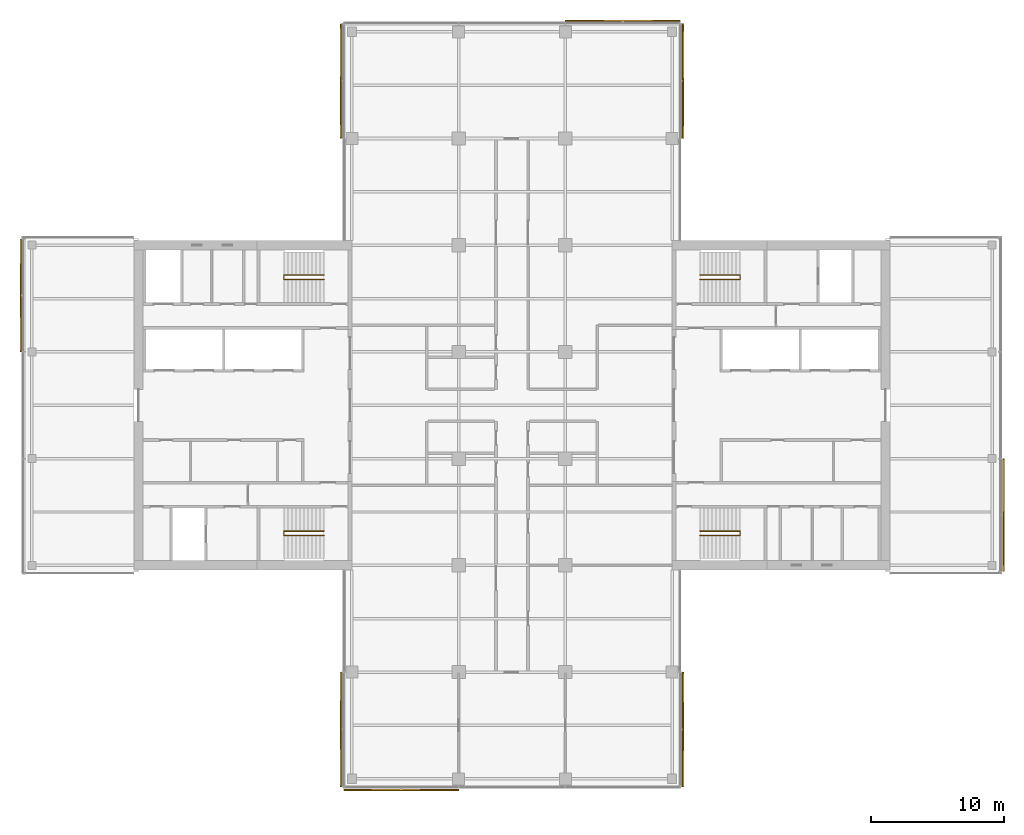
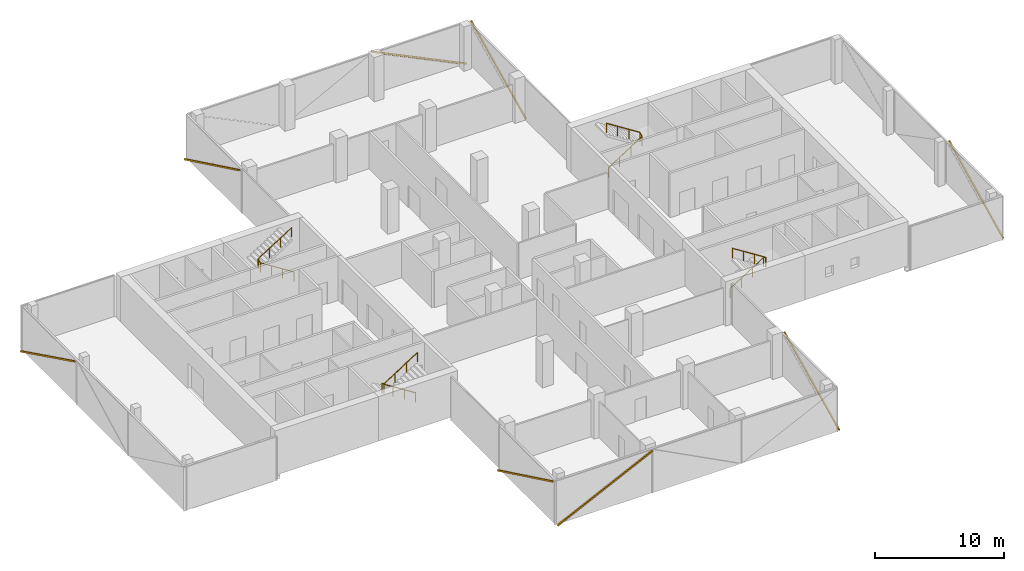
# One storey, part 22 of 22: 8 shading devices, 4 railings, 8 elements without a shape of their own.
"""IFC4 building model written with IfcOpenShell, lengths in metres."""

from ifc_helpers import new_model, si_unit, direction, frame, origin, origin_2d, place, context, subcontext, project, spatial, rectangle, circle, extrude, material, material_profile, profile_set, type_object, element, aggregate, save


model = new_model("IFC4")

# Units and contexts
model_context = context("Model", 3, precision=1e-05, world=origin(), true_north=direction((0.0, 1.0)))
body_context = subcontext(model_context, "Body", "Model", "MODEL_VIEW")
ifc_project = project(units=[si_unit("LENGTHUNIT", "METRE"), si_unit("AREAUNIT", "SQUARE_METRE"), si_unit("VOLUMEUNIT", "CUBIC_METRE"), si_unit("PLANEANGLEUNIT", "RADIAN"), si_unit("MASSUNIT", "GRAM", prefix="KILO")], contexts=[model_context])

# Site, building, storey
site_placement = place(None, origin())
site = spatial("IfcSite", under=ifc_project, at=site_placement, CompositionType="ELEMENT")
building_placement = place(site_placement, origin())
building = spatial("IfcBuilding", under=site, at=building_placement, Name="Crosswind Convention Tower", CompositionType="ELEMENT")
storey_placement = place(building_placement, frame((0.0, 0.0, 125.300048828125)))
storey = spatial("IfcBuildingStorey", under=building, at=storey_placement, Name="L25", CompositionType="ELEMENT", Elevation=125.300048828125)

# Railings
ifc_material_1 = material(Name="Stainless steel", Category="steel")
railing_type = type_object("IfcRailingType", Name="Stair handrail 900", PredefinedType="HANDRAIL", material=ifc_material_1)
railing_1_placement = place(storey_placement, frame((139.10009765625, 109.43994140625, 0.19091796875)))
element("IfcRailing", 1, at=railing_1_placement, inside=storey, type_object=railing_type, Name="Stair ST1 handrail L25", PredefinedType="HANDRAIL", context=body_context, shape_type="SweptSolid", body=[
    extrude(circle(Radius=0.02392578125, at=origin_2d()), frame((0.0, 0.0, 0.8759765625), z_axis=(0.843681277094, 0.0, 0.536844393359), x_axis=(0.0, 1.0, 0.0)), (0.0, 0.0, 1.0), 3.555908203125),
    extrude(circle(Radius=0.02392578125, at=origin_2d()), frame((3.0, 0.0, 2.78466796875), z_axis=(0.0, 0.858819504967, 0.512278301208), x_axis=(-1.0, 0.0, 0.0)), (0.0, 0.0, 1.0), 0.372802734375),
    extrude(circle(Radius=0.02392578125, at=origin_2d()), frame((3.0, 0.320068359375, 2.9755859375), z_axis=(-0.843650179428, 0.0, 0.536893261973), x_axis=(0.0, -1.0, 0.0)), (0.0, 0.0, 1.0), 3.555908203125),
    extrude(circle(Radius=0.02099609375, at=origin_2d()), origin(), (0.0, 0.0, 1.0), 0.851806640625),
    extrude(circle(Radius=0.02099609375, at=origin_2d()), frame((1.0, 0.0, 0.63623046875)), (0.0, 0.0, 1.0), 0.851806640625),
    extrude(circle(Radius=0.02099609375, at=origin_2d()), frame((2.0, 0.0, 1.272705078125)), (0.0, 0.0, 1.0), 0.851806640625),
    extrude(circle(Radius=0.02099609375, at=origin_2d()), frame((3.0, 0.0, 1.908935546875)), (0.0, 0.0, 1.0), 0.851806640625),
    extrude(circle(Radius=0.02099609375, at=origin_2d()), frame((3.0, 0.320068359375, 2.099853515625)), (0.0, 0.0, 1.0), 0.851806640625),
    extrude(circle(Radius=0.02099609375, at=origin_2d()), frame((2.0, 0.320068359375, 2.736328125)), (0.0, 0.0, 1.0), 0.851806640625),
    extrude(circle(Radius=0.02099609375, at=origin_2d()), frame((1.0, 0.320068359375, 3.37255859375)), (0.0, 0.0, 1.0), 0.851806640625),
    extrude(circle(Radius=0.02099609375, at=origin_2d()), frame((0.0, 0.320068359375, 4.009033203125)), (0.0, 0.0, 1.0), 0.851806640625),
])
railing_2_placement = place(storey_placement, frame((139.10009765625, 90.56005859375, 0.19091796875)))
element("IfcRailing", 2, at=railing_2_placement, inside=storey, type_object=railing_type, Name="Stair ST2 handrail L25", PredefinedType="HANDRAIL", context=body_context, shape_type="SweptSolid", body=[
    extrude(circle(Radius=0.02392578125, at=origin_2d()), frame((0.0, 0.0, 0.8759765625), z_axis=(0.843681277094, 0.0, 0.536844393359), x_axis=(0.0, 1.0, 0.0)), (0.0, 0.0, 1.0), 3.555908203125),
    extrude(circle(Radius=0.02392578125, at=origin_2d()), frame((3.0, 0.0, 2.78466796875), z_axis=(0.0, -0.858819504967, 0.512278301208), x_axis=(1.0, 0.0, 0.0)), (0.0, 0.0, 1.0), 0.372802734375),
    extrude(circle(Radius=0.02392578125, at=origin_2d()), frame((3.0, -0.320068359375, 2.9755859375), z_axis=(-0.843650179428, 0.0, 0.536893261973), x_axis=(0.0, -1.0, 0.0)), (0.0, 0.0, 1.0), 3.555908203125),
    extrude(circle(Radius=0.02099609375, at=origin_2d()), origin(), (0.0, 0.0, 1.0), 0.851806640625),
    extrude(circle(Radius=0.02099609375, at=origin_2d()), frame((1.0, 0.0, 0.63623046875)), (0.0, 0.0, 1.0), 0.851806640625),
    extrude(circle(Radius=0.02099609375, at=origin_2d()), frame((2.0, 0.0, 1.272705078125)), (0.0, 0.0, 1.0), 0.851806640625),
    extrude(circle(Radius=0.02099609375, at=origin_2d()), frame((3.0, 0.0, 1.908935546875)), (0.0, 0.0, 1.0), 0.851806640625),
    extrude(circle(Radius=0.02099609375, at=origin_2d()), frame((3.0, -0.320068359375, 2.099853515625)), (0.0, 0.0, 1.0), 0.851806640625),
    extrude(circle(Radius=0.02099609375, at=origin_2d()), frame((2.0, -0.320068359375, 2.736328125)), (0.0, 0.0, 1.0), 0.851806640625),
    extrude(circle(Radius=0.02099609375, at=origin_2d()), frame((1.0, -0.320068359375, 3.37255859375)), (0.0, 0.0, 1.0), 0.851806640625),
    extrude(circle(Radius=0.02099609375, at=origin_2d()), frame((0.0, -0.320068359375, 4.009033203125)), (0.0, 0.0, 1.0), 0.851806640625),
])
railing_3_placement = place(storey_placement, frame((110.89990234375, 90.56005859375, 0.19091796875)))
element("IfcRailing", 3, at=railing_3_placement, inside=storey, type_object=railing_type, Name="Stair ST3 handrail L25", PredefinedType="HANDRAIL", context=body_context, shape_type="SweptSolid", body=[
    extrude(circle(Radius=0.02392578125, at=origin_2d()), frame((0.0, 0.0, 0.8759765625), z_axis=(-0.843681277094, 0.0, 0.536844393359), x_axis=(0.0, -1.0, 0.0)), (0.0, 0.0, 1.0), 3.555908203125),
    extrude(circle(Radius=0.02392578125, at=origin_2d()), frame((-3.0, 0.0, 2.78466796875), z_axis=(0.0, -0.858819504967, 0.512278301208), x_axis=(1.0, 0.0, 0.0)), (0.0, 0.0, 1.0), 0.372802734375),
    extrude(circle(Radius=0.02392578125, at=origin_2d()), frame((-3.0, -0.320068359375, 2.9755859375), z_axis=(0.843650179428, 0.0, 0.536893261973), x_axis=(0.0, 1.0, 0.0)), (0.0, 0.0, 1.0), 3.555908203125),
    extrude(circle(Radius=0.02099609375, at=origin_2d()), origin(), (0.0, 0.0, 1.0), 0.851806640625),
    extrude(circle(Radius=0.02099609375, at=origin_2d()), frame((-1.0, 0.0, 0.63623046875)), (0.0, 0.0, 1.0), 0.851806640625),
    extrude(circle(Radius=0.02099609375, at=origin_2d()), frame((-2.0, 0.0, 1.272705078125)), (0.0, 0.0, 1.0), 0.851806640625),
    extrude(circle(Radius=0.02099609375, at=origin_2d()), frame((-3.0, 0.0, 1.908935546875)), (0.0, 0.0, 1.0), 0.851806640625),
    extrude(circle(Radius=0.02099609375, at=origin_2d()), frame((-3.0, -0.320068359375, 2.099853515625)), (0.0, 0.0, 1.0), 0.851806640625),
    extrude(circle(Radius=0.02099609375, at=origin_2d()), frame((-2.0, -0.320068359375, 2.736328125)), (0.0, 0.0, 1.0), 0.851806640625),
    extrude(circle(Radius=0.02099609375, at=origin_2d()), frame((-1.0, -0.320068359375, 3.37255859375)), (0.0, 0.0, 1.0), 0.851806640625),
    extrude(circle(Radius=0.02099609375, at=origin_2d()), frame((0.0, -0.320068359375, 4.009033203125)), (0.0, 0.0, 1.0), 0.851806640625),
])
railing_4_placement = place(storey_placement, frame((110.89990234375, 109.43994140625, 0.19091796875)))
element("IfcRailing", 4, at=railing_4_placement, inside=storey, type_object=railing_type, Name="Stair ST4 handrail L25", PredefinedType="HANDRAIL", context=body_context, shape_type="SweptSolid", body=[
    extrude(circle(Radius=0.02392578125, at=origin_2d()), frame((0.0, 0.0, 0.8759765625), z_axis=(-0.843681277094, 0.0, 0.536844393359), x_axis=(0.0, -1.0, 0.0)), (0.0, 0.0, 1.0), 3.555908203125),
    extrude(circle(Radius=0.02392578125, at=origin_2d()), frame((-3.0, 0.0, 2.78466796875), z_axis=(0.0, 0.858819504967, 0.512278301208), x_axis=(-1.0, 0.0, 0.0)), (0.0, 0.0, 1.0), 0.372802734375),
    extrude(circle(Radius=0.02392578125, at=origin_2d()), frame((-3.0, 0.320068359375, 2.9755859375), z_axis=(0.843650179428, 0.0, 0.536893261973), x_axis=(0.0, 1.0, 0.0)), (0.0, 0.0, 1.0), 3.555908203125),
    extrude(circle(Radius=0.02099609375, at=origin_2d()), origin(), (0.0, 0.0, 1.0), 0.851806640625),
    extrude(circle(Radius=0.02099609375, at=origin_2d()), frame((-1.0, 0.0, 0.63623046875)), (0.0, 0.0, 1.0), 0.851806640625),
    extrude(circle(Radius=0.02099609375, at=origin_2d()), frame((-2.0, 0.0, 1.272705078125)), (0.0, 0.0, 1.0), 0.851806640625),
    extrude(circle(Radius=0.02099609375, at=origin_2d()), frame((-3.0, 0.0, 1.908935546875)), (0.0, 0.0, 1.0), 0.851806640625),
    extrude(circle(Radius=0.02099609375, at=origin_2d()), frame((-3.0, 0.320068359375, 2.099853515625)), (0.0, 0.0, 1.0), 0.851806640625),
    extrude(circle(Radius=0.02099609375, at=origin_2d()), frame((-2.0, 0.320068359375, 2.736328125)), (0.0, 0.0, 1.0), 0.851806640625),
    extrude(circle(Radius=0.02099609375, at=origin_2d()), frame((-1.0, 0.320068359375, 3.37255859375)), (0.0, 0.0, 1.0), 0.851806640625),
    extrude(circle(Radius=0.02099609375, at=origin_2d()), frame((0.0, 0.320068359375, 4.009033203125)), (0.0, 0.0, 1.0), 0.851806640625),
])

# Curtain wall, shading device
ifc_material_2 = material(Name="Aluminium unitised curtain wall", Category="aluminium")
curtain_wall_type = type_object("IfcCurtainWallType", Name="OFFICE UNITISED WALL 220", PredefinedType="USERDEFINED", material=ifc_material_2)
curtain_wall_1_placement = place(storey_placement, origin())
curtain_wall_1 = element("IfcCurtainWall", 5, at=curtain_wall_1_placement, inside=storey, type_object=curtain_wall_type, Name="CW3 L25 E-TIP 1", ObjectType="UNITISED", PredefinedType="USERDEFINED")
ifc_material_3 = material(Name="Extruded terracotta", Category="masonry")
ifc_material_profile = material_profile(ifc_material_3, rectangle(XDim=0.110107421875, YDim=0.1298828125, at=origin_2d()), Name="TC 110X130")
ifc_profile_set = profile_set([ifc_material_profile], Name="Extruded terracotta")
shading_device_type = type_object("IfcShadingDeviceType", Name="TERRACOTTA BAGUETTE 130X110", PredefinedType="USERDEFINED", material=ifc_profile_set)
shading_device_1_placement = place(storey_placement, frame((161.8310546875, 87.570068359375, -0.300048828125), z_axis=(0.0, 0.897299814718, 0.44142161536), x_axis=(-1.0, 0.0, 0.0)))
shading_device_1 = element("IfcShadingDevice", 6, at=shading_device_1_placement, type_object=shading_device_type, Name="CW3 terracotta baguette 1", ObjectType="BAGUETTE", PredefinedType="USERDEFINED", context=body_context, shape_type="SweptSolid", body=[
    extrude(rectangle(XDim=0.110107421875, YDim=0.1298828125, at=origin_2d()), origin(), (0.0, 0.0, 1.0), 9.35595703125),
])
aggregate(curtain_wall_1, [shading_device_1])

curtain_wall_2_placement = place(storey_placement, origin())
curtain_wall_2 = element("IfcCurtainWall", 7, at=curtain_wall_2_placement, inside=storey, type_object=curtain_wall_type, Name="CW3 L25 N-E 1", ObjectType="UNITISED", PredefinedType="USERDEFINED")
shading_device_2_placement = place(storey_placement, frame((137.8310546875, 120.034912109375, -0.300048828125), z_axis=(0.0, 0.900258180835, 0.435356414723), x_axis=(-1.0, 0.0, 0.0)))
shading_device_2 = element("IfcShadingDevice", 8, at=shading_device_2_placement, type_object=shading_device_type, Name="CW3 terracotta baguette 1", ObjectType="BAGUETTE", PredefinedType="USERDEFINED", context=body_context, shape_type="SweptSolid", body=[
    extrude(rectangle(XDim=0.110107421875, YDim=0.1298828125, at=origin_2d()), origin(), (0.0, 0.0, 1.0), 9.486328125),
])
aggregate(curtain_wall_2, [shading_device_2])

curtain_wall_3_placement = place(storey_placement, origin())
curtain_wall_3 = element("IfcCurtainWall", 9, at=curtain_wall_3_placement, inside=storey, type_object=curtain_wall_type, Name="CW3 L25 N-TIP 1", ObjectType="UNITISED", PredefinedType="USERDEFINED")
shading_device_3_placement = place(storey_placement, frame((137.574951171875, 128.8310546875, -0.300048828125), z_axis=(-0.900258180835, 0.0, 0.435356414723), x_axis=(0.0, -1.0, 0.0)))
shading_device_3 = element("IfcShadingDevice", 10, at=shading_device_3_placement, type_object=shading_device_type, Name="CW3 terracotta baguette 1", ObjectType="BAGUETTE", PredefinedType="USERDEFINED", context=body_context, shape_type="SweptSolid", body=[
    extrude(rectangle(XDim=0.110107421875, YDim=0.1298828125, at=origin_2d()), origin(), (0.0, 0.0, 1.0), 9.486328125),
])
aggregate(curtain_wall_3, [shading_device_3])

curtain_wall_4_placement = place(storey_placement, origin())
curtain_wall_4 = element("IfcCurtainWall", 11, at=curtain_wall_4_placement, inside=storey, type_object=curtain_wall_type, Name="CW3 L25 N-W 1", ObjectType="UNITISED", PredefinedType="USERDEFINED")
shading_device_4_placement = place(storey_placement, frame((112.1689453125, 128.574951171875, -0.300048828125), z_axis=(0.0, -0.900258180835, 0.435356414723), x_axis=(1.0, 0.0, 0.0)))
shading_device_4 = element("IfcShadingDevice", 12, at=shading_device_4_placement, type_object=shading_device_type, Name="CW3 terracotta baguette 1", ObjectType="BAGUETTE", PredefinedType="USERDEFINED", context=body_context, shape_type="SweptSolid", body=[
    extrude(rectangle(XDim=0.110107421875, YDim=0.1298828125, at=origin_2d()), origin(), (0.0, 0.0, 1.0), 9.486328125),
])
aggregate(curtain_wall_4, [shading_device_4])

curtain_wall_5_placement = place(storey_placement, origin())
curtain_wall_5 = element("IfcCurtainWall", 13, at=curtain_wall_5_placement, inside=storey, type_object=curtain_wall_type, Name="CW3 L25 W-TIP 1", ObjectType="UNITISED", PredefinedType="USERDEFINED")
shading_device_5_placement = place(storey_placement, frame((88.1689453125, 112.429931640625, -0.300048828125), z_axis=(0.0, -0.897299814718, 0.44142161536), x_axis=(1.0, 0.0, 0.0)))
shading_device_5 = element("IfcShadingDevice", 14, at=shading_device_5_placement, type_object=shading_device_type, Name="CW3 terracotta baguette 1", ObjectType="BAGUETTE", PredefinedType="USERDEFINED", context=body_context, shape_type="SweptSolid", body=[
    extrude(rectangle(XDim=0.110107421875, YDim=0.1298828125, at=origin_2d()), origin(), (0.0, 0.0, 1.0), 9.35595703125),
])
aggregate(curtain_wall_5, [shading_device_5])

curtain_wall_6_placement = place(storey_placement, origin())
curtain_wall_6 = element("IfcCurtainWall", 15, at=curtain_wall_6_placement, inside=storey, type_object=curtain_wall_type, Name="CW3 L25 S-W 1", ObjectType="UNITISED", PredefinedType="USERDEFINED")
shading_device_6_placement = place(storey_placement, frame((112.1689453125, 79.965087890625, -0.300048828125), z_axis=(0.0, -0.900258180835, 0.435356414723), x_axis=(1.0, 0.0, 0.0)))
shading_device_6 = element("IfcShadingDevice", 16, at=shading_device_6_placement, type_object=shading_device_type, Name="CW3 terracotta baguette 1", ObjectType="BAGUETTE", PredefinedType="USERDEFINED", context=body_context, shape_type="SweptSolid", body=[
    extrude(rectangle(XDim=0.110107421875, YDim=0.1298828125, at=origin_2d()), origin(), (0.0, 0.0, 1.0), 9.486328125),
])
aggregate(curtain_wall_6, [shading_device_6])

curtain_wall_7_placement = place(storey_placement, origin())
curtain_wall_7 = element("IfcCurtainWall", 17, at=curtain_wall_7_placement, inside=storey, type_object=curtain_wall_type, Name="CW3 L25 S-TIP 1", ObjectType="UNITISED", PredefinedType="USERDEFINED")
shading_device_7_placement = place(storey_placement, frame((112.425048828125, 71.1689453125, -0.300048828125), z_axis=(0.900258180835, 0.0, 0.435356414723), x_axis=(0.0, 1.0, 0.0)))
shading_device_7 = element("IfcShadingDevice", 18, at=shading_device_7_placement, type_object=shading_device_type, Name="CW3 terracotta baguette 1", ObjectType="BAGUETTE", PredefinedType="USERDEFINED", context=body_context, shape_type="SweptSolid", body=[
    extrude(rectangle(XDim=0.110107421875, YDim=0.1298828125, at=origin_2d()), origin(), (0.0, 0.0, 1.0), 9.486328125),
])
aggregate(curtain_wall_7, [shading_device_7])

curtain_wall_8_placement = place(storey_placement, origin())
curtain_wall_8 = element("IfcCurtainWall", 19, at=curtain_wall_8_placement, inside=storey, type_object=curtain_wall_type, Name="CW3 L25 S-E 1", ObjectType="UNITISED", PredefinedType="USERDEFINED")
shading_device_8_placement = place(storey_placement, frame((137.8310546875, 71.425048828125, -0.300048828125), z_axis=(0.0, 0.900258180835, 0.435356414723), x_axis=(-1.0, 0.0, 0.0)))
shading_device_8 = element("IfcShadingDevice", 20, at=shading_device_8_placement, type_object=shading_device_type, Name="CW3 terracotta baguette 1", ObjectType="BAGUETTE", PredefinedType="USERDEFINED", context=body_context, shape_type="SweptSolid", body=[
    extrude(rectangle(XDim=0.110107421875, YDim=0.1298828125, at=origin_2d()), origin(), (0.0, 0.0, 1.0), 9.486328125),
])
aggregate(curtain_wall_8, [shading_device_8])

save(model, "model.ifc")
